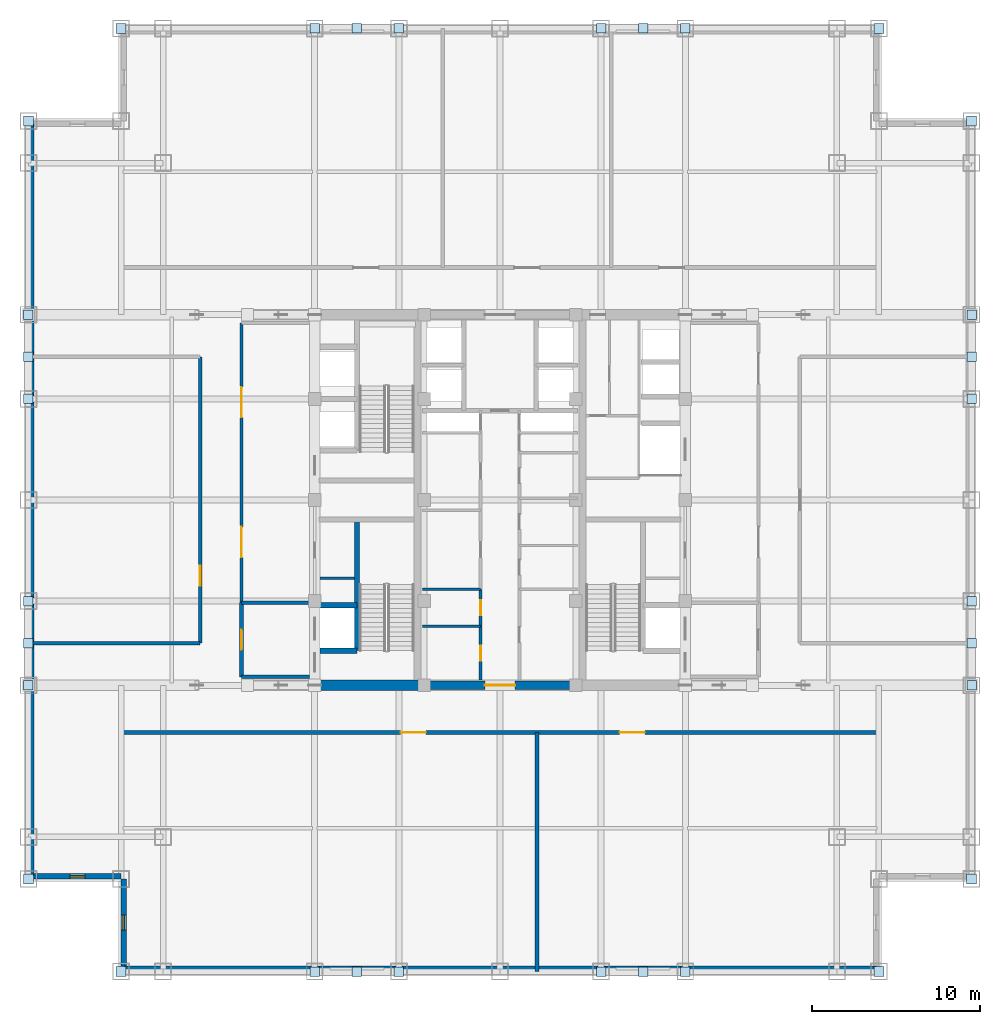
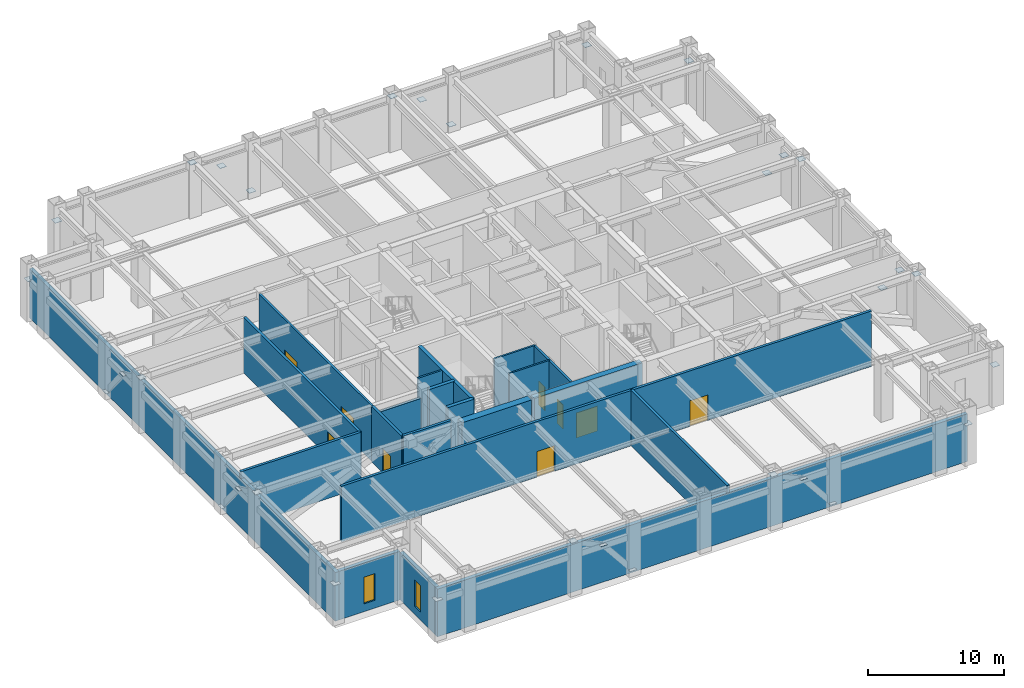
# One storey, part 6 of 11: 32 plates, 21 walls, 9 doors, 2 windows, 11 openings.
"""IFC4 building model written with IfcOpenShell, lengths in metres."""

from ifc_helpers import new_model, si_unit, direction, frame, frame_2d, origin, origin_2d, place, context, subcontext, project, spatial, rectangle, extrude, source, transform, mapped, material, layer, layer_set, type_object, element, fill, save


model = new_model("IFC4")

# Units and contexts
model_context = context("Model", 3, precision=1e-05, world=origin(), true_north=direction((0.0, 1.0)))
body_context = subcontext(model_context, "Body", "Model", "MODEL_VIEW")
ifc_project = project(units=[si_unit("LENGTHUNIT", "METRE"), si_unit("AREAUNIT", "SQUARE_METRE"), si_unit("VOLUMEUNIT", "CUBIC_METRE"), si_unit("PLANEANGLEUNIT", "RADIAN"), si_unit("MASSUNIT", "GRAM", prefix="KILO")], contexts=[model_context])

# Site, building, storey
site_placement = place(None, origin())
site = spatial("IfcSite", under=ifc_project, at=site_placement, CompositionType="ELEMENT")
building_placement = place(site_placement, origin())
building = spatial("IfcBuilding", under=site, at=building_placement, Name="Khorayat Bourse Tower", CompositionType="ELEMENT")
storey_placement = place(building_placement, frame((0.0, 0.0, 268.300048828125)))
storey = spatial("IfcBuildingStorey", under=building, at=storey_placement, Name="L63", CompositionType="ELEMENT", Elevation=268.300048828125)

# Plates
ifc_material_1 = material(Name="Steel EN 10025-2 S355J2", Category="steel")
ifc_layer_1 = layer(ifc_material_1, 0.02490234375)
ifc_layer_set_1 = layer_set([ifc_layer_1], Name="Steel EN 10025-2 S355J2")
plate_type = type_object("IfcPlateType", Name="PLT-ENDCAP-25", PredefinedType="SHEET", material=ifc_layer_set_1)
shared_shape_1 = source(origin(), body_context, "Body", "SweptSolid", [
    extrude(rectangle(XDim=0.56005859375, YDim=0.56005859375, at=origin_2d()), origin(), (0.0, 0.0, 1.0), 0.02490234375),
])
for number, where, z_axis, x_axis, name in (
    (1, (-11.0, -28.0, 4.617431640625), (0.0, 0.0, 1.0), (1.0, 0.0, 0.0), "L63 Perimeter Brace End Plate 001"),
    (2, (-8.5, -28.0, 3.4375), (0.0, 0.0, 1.0), (1.0, 0.0, 0.0), "L63 Perimeter Brace End Plate 002"),
    (3, (-6.0, -28.0, 0.33740234375), (0.0, 0.0, 1.0), (1.0, 0.0, 0.0), "L63 Perimeter Brace End Plate 003"),
    (4, (6.0, -28.0, 4.617431640625), (0.0, 0.0, 1.0), (1.0, 0.0, 0.0), "L63 Perimeter Brace End Plate 004"),
    (5, (8.5, -28.0, 3.4375), (0.0, 0.0, 1.0), (1.0, 0.0, 0.0), "L63 Perimeter Brace End Plate 005"),
    (6, (11.0, -28.0, 0.33740234375), (0.0, 0.0, 1.0), (1.0, 0.0, 0.0), "L63 Perimeter Brace End Plate 006"),
    (7, (-11.0, 28.0, 4.617431640625), (0.0, 0.0, 1.0), (1.0, 0.0, 0.0), "L63 Perimeter Brace End Plate 007"),
    (8, (-8.5, 28.0, 3.4375), (0.0, 0.0, 1.0), (1.0, 0.0, 0.0), "L63 Perimeter Brace End Plate 008"),
    (9, (-6.0, 28.0, 0.33740234375), (0.0, 0.0, 1.0), (1.0, 0.0, 0.0), "L63 Perimeter Brace End Plate 009"),
    (10, (6.0, 28.0, 4.617431640625), (0.0, 0.0, 1.0), (1.0, 0.0, 0.0), "L63 Perimeter Brace End Plate 010"),
    (11, (8.5, 28.0, 3.4375), (0.0, 0.0, 1.0), (1.0, 0.0, 0.0), "L63 Perimeter Brace End Plate 011"),
    (12, (11.0, 28.0, 0.33740234375), (0.0, 0.0, 1.0), (1.0, 0.0, 0.0), "L63 Perimeter Brace End Plate 012"),
    (13, (-28.0, -11.0, 4.617431640625), (0.0, 0.0, 1.0), (1.0, 0.0, 0.0), "L63 Perimeter Brace End Plate 013"),
    (14, (-28.0, -8.5, 3.4375), (0.0, 0.0, 1.0), (1.0, 0.0, 0.0), "L63 Perimeter Brace End Plate 014"),
    (15, (-28.0, -6.0, 0.33740234375), (0.0, 0.0, 1.0), (1.0, 0.0, 0.0), "L63 Perimeter Brace End Plate 015"),
    (16, (-28.0, 6.0, 4.617431640625), (0.0, 0.0, 1.0), (1.0, 0.0, 0.0), "L63 Perimeter Brace End Plate 016"),
    (17, (-28.0, 8.5, 3.4375), (0.0, 0.0, 1.0), (1.0, 0.0, 0.0), "L63 Perimeter Brace End Plate 017"),
    (18, (-28.0, 11.0, 0.33740234375), (0.0, 0.0, 1.0), (1.0, 0.0, 0.0), "L63 Perimeter Brace End Plate 018"),
    (19, (28.0, -11.0, 4.617431640625), (0.0, 0.0, 1.0), (1.0, 0.0, 0.0), "L63 Perimeter Brace End Plate 019"),
    (20, (28.0, -8.5, 3.4375), (0.0, 0.0, 1.0), (1.0, 0.0, 0.0), "L63 Perimeter Brace End Plate 020"),
    (21, (28.0, -6.0, 0.33740234375), (0.0, 0.0, 1.0), (1.0, 0.0, 0.0), "L63 Perimeter Brace End Plate 021"),
    (22, (28.0, 6.0, 4.617431640625), (0.0, 0.0, 1.0), (1.0, 0.0, 0.0), "L63 Perimeter Brace End Plate 022"),
    (23, (28.0, 8.5, 3.4375), (0.0, 0.0, 1.0), (1.0, 0.0, 0.0), "L63 Perimeter Brace End Plate 023"),
    (24, (28.0, 11.0, 0.33740234375), (0.0, 0.0, 1.0), (1.0, 0.0, 0.0), "L63 Perimeter Brace End Plate 024"),
):
    element("IfcPlate", number, at=place(storey_placement, frame(where, z_axis=z_axis, x_axis=x_axis)), inside=storey, type_object=plate_type, Name=name, PredefinedType="SHEET", context=body_context, shape_type="MappedRepresentation", body=[
        mapped(shared_shape_1, transform((0.0, 0.0, 0.0), scale=1.0)),
    ])
shared_shape_2 = source(origin(), body_context, "Body", "SweptSolid", [
    extrude(rectangle(XDim=0.580078125, YDim=0.580078125, at=origin_2d()), origin(), (0.0, 0.0, 1.0), 0.02490234375),
])
for number, where, z_axis, x_axis, name in (
    (25, (-22.5, -28.0, 3.4375), (0.0, 0.0, 1.0), (1.0, 0.0, 0.0), "L63 Belt Truss Endcap Plate 025"),
    (26, (22.5, -28.0, 3.4375), (0.0, 0.0, 1.0), (1.0, 0.0, 0.0), "L63 Belt Truss Endcap Plate 026"),
    (27, (-22.5, 28.0, 3.4375), (0.0, 0.0, 1.0), (1.0, 0.0, 0.0), "L63 Belt Truss Endcap Plate 027"),
    (28, (22.5, 28.0, 3.4375), (0.0, 0.0, 1.0), (1.0, 0.0, 0.0), "L63 Belt Truss Endcap Plate 028"),
    (29, (-28.0, -22.5, 3.4375), (0.0, 0.0, 1.0), (1.0, 0.0, 0.0), "L63 Belt Truss Endcap Plate 029"),
    (30, (-28.0, 22.5, 3.4375), (0.0, 0.0, 1.0), (1.0, 0.0, 0.0), "L63 Belt Truss Endcap Plate 030"),
    (31, (28.0, -22.5, 3.4375), (0.0, 0.0, 1.0), (1.0, 0.0, 0.0), "L63 Belt Truss Endcap Plate 031"),
    (32, (28.0, 22.5, 3.4375), (0.0, 0.0, 1.0), (1.0, 0.0, 0.0), "L63 Belt Truss Endcap Plate 032"),
):
    element("IfcPlate", number, at=place(storey_placement, frame(where, z_axis=z_axis, x_axis=x_axis)), inside=storey, type_object=plate_type, Name=name, PredefinedType="SHEET", context=body_context, shape_type="MappedRepresentation", body=[
        mapped(shared_shape_2, transform((0.0, 0.0, 0.0), scale=1.0)),
    ])

# Wall, opening, door
ifc_material_2 = material(Name="Concrete C52/65", Category="concrete")
ifc_layer_2 = layer(ifc_material_2, 0.5)
ifc_layer_set_2 = layer_set([ifc_layer_2], Name="Concrete C52/65")
wall_type_1 = type_object("IfcWallType", Name="WAL-CORE-500", PredefinedType="SHEAR", material=ifc_layer_set_2)
shared_shape_3 = source(origin(), body_context, "Body", "SweptSolid", [
    extrude(rectangle(XDim=9.2001953125, YDim=0.5, at=frame_2d((4.60009765625, 0.0))), origin(), (0.0, 0.0, 1.0), 4.97998046875),
])
wall_1_placement = place(storey_placement, frame((-4.60009765625, -11.0, 0.0), z_axis=(0.0, 0.0, 1.0), x_axis=(1.0, 0.0, 0.0)))
wall_1 = element("IfcWall", 33, at=wall_1_placement, inside=storey, type_object=wall_type_1, Name="L63 Core Shear Wall CORE-S", PredefinedType="SHEAR", context=body_context, shape_type="MappedRepresentation", body=[
    mapped(shared_shape_3, transform((0.0, 0.0, 0.0), scale=1.0)),
])
shared_shape_4 = source(origin(), body_context, "Body", "SweptSolid", [
    extrude(rectangle(XDim=1.800048828125, YDim=2.25, at=frame_2d((0.89990234375, 1.125))), frame((0.0, 0.260009765625, 0.0), z_axis=(0.0, -1.0, 0.0), x_axis=(1.0, 0.0, 0.0)), (0.0, 0.0, 1.0), 0.52001953125),
])
opening_1_placement = place(wall_1_placement, frame((3.699951171875, 0.0, 0.0)))
opening_1 = element("IfcOpeningElement", 34, at=opening_1_placement, cuts=wall_1, Name="Opening DI-03", PredefinedType="OPENING", context=body_context, shape_type="MappedRepresentation", body=[
    mapped(shared_shape_4, transform((0.0, 0.0, 0.0), scale=1.0)),
])
ifc_material_3 = material(Name="Fire-rated hardwood vision-panel double leaf", Category="wood")
door_type_1 = type_object("IfcDoorType", Name="DR-INT-CORR-1800", OperationType="NOTDEFINED", PredefinedType="DOOR", material=ifc_material_3)
shared_shape_5 = source(origin(), body_context, "Body", "SweptSolid", [
    extrude(rectangle(XDim=1.800048828125, YDim=2.25, at=frame_2d((0.89990234375, 1.125))), frame((0.0, 0.02490234375, 0.0), z_axis=(0.0, -1.0, 0.0), x_axis=(1.0, 0.0, 0.0)), (0.0, 0.0, 1.0), 0.050048828125),
])
door_1_placement = place(opening_1_placement, origin())
door_1 = element("IfcDoor", 35, at=door_1_placement, inside=storey, type_object=door_type_1, Name="L63 Central Core South Passage Door", OperationType="SINGLE_SWING_LEFT", OverallHeight=2.25, OverallWidth=1.800048828125, PredefinedType="DOOR", context=body_context, shape_type="MappedRepresentation", body=[
    mapped(shared_shape_5, transform((0.0, 0.0, 0.0), scale=1.0)),
])
fill(opening_1, door_1)

# Wall
ifc_material_4 = material(Name="Concrete C60/75", Category="concrete")
ifc_layer_3 = layer(ifc_material_4, 0.60009765625)
ifc_layer_set_3 = layer_set([ifc_layer_3], Name="Concrete C60/75")
wall_type_2 = type_object("IfcWallType", Name="WAL-CORE-600", PredefinedType="SHEAR", material=ifc_layer_set_3)
shared_shape_6 = source(origin(), body_context, "Body", "SweptSolid", [
    extrude(rectangle(XDim=5.89990234375, YDim=0.60009765625, at=frame_2d((2.949951171875, 0.0))), origin(), (0.0, 0.0, 1.0), 4.97998046875),
])
wall_2_placement = place(storey_placement, frame((-10.75, -11.0, 0.0), z_axis=(0.0, 0.0, 1.0), x_axis=(1.0, 0.0, 0.0)))
element("IfcWall", 36, at=wall_2_placement, inside=storey, type_object=wall_type_2, Name="L63 Core Shear Wall PIER-WS", PredefinedType="SHEAR", context=body_context, shape_type="MappedRepresentation", body=[
    mapped(shared_shape_6, transform((0.0, 0.0, 0.0), scale=1.0)),
])

# Wall, opening, window
ifc_material_5 = material(Name="Precast concrete C45/55", Category="concrete")
ifc_layer_4 = layer(ifc_material_5, 0.320068359375)
ifc_layer_set_4 = layer_set([ifc_layer_4], Name="Precast concrete C45/55")
wall_type_3 = type_object("IfcWallType", Name="WAL-EXT-STONE-320", PredefinedType="STANDARD", material=ifc_layer_set_4)
shared_shape_7 = source(origin(), body_context, "Body", "SweptSolid", [
    extrude(rectangle(XDim=5.179931640625, YDim=0.320068359375, at=frame_2d((2.58984375, 0.0))), origin(), (0.0, 0.0, 1.0), 4.364013671875),
])
wall_3_placement = place(storey_placement, frame((-22.5, -22.340087890625, 0.0), z_axis=(0.0, 0.0, 1.0), x_axis=(-1.0, 0.0, 0.0)))
wall_3 = element("IfcWall", 37, at=wall_3_placement, inside=storey, type_object=wall_type_3, Name="L63 Re-Entrant Notch Limestone Wall SW-H", PredefinedType="STANDARD", context=body_context, shape_type="MappedRepresentation", body=[
    mapped(shared_shape_7, transform((0.0, 0.0, 0.0), scale=1.0)),
])
shared_shape_8 = source(origin(), body_context, "Body", "SweptSolid", [
    extrude(rectangle(XDim=0.89990234375, YDim=2.39990234375, at=frame_2d((0.449951171875, 1.199951171875))), frame((0.0, 0.169921875, 0.0), z_axis=(0.0, -1.0, 0.0), x_axis=(1.0, 0.0, 0.0)), (0.0, 0.0, 1.0), 0.340087890625),
])
opening_2_placement = place(wall_3_placement, frame((2.139892578125, 0.0, 0.699951171875)))
opening_2 = element("IfcOpeningElement", 38, at=opening_2_placement, cuts=wall_3, Name="Opening WN-03", PredefinedType="OPENING", context=body_context, shape_type="MappedRepresentation", body=[
    mapped(shared_shape_8, transform((0.0, 0.0, 0.0), scale=1.0)),
])
ifc_material_6 = material(Name="Deep-reveal solar-control double glazing", Category="glass")
window_type = type_object("IfcWindowType", Name="WIN-SLOT-900x2400", PartitioningType="SINGLE_PANEL", PredefinedType="WINDOW", material=ifc_material_6)
shared_shape_9 = source(origin(), body_context, "Body", "SweptSolid", [
    extrude(rectangle(XDim=0.89990234375, YDim=2.39990234375, at=frame_2d((0.449951171875, 1.199951171875))), frame((0.0, 0.030029296875, 0.0), z_axis=(0.0, -1.0, 0.0), x_axis=(1.0, 0.0, 0.0)), (0.0, 0.0, 1.0), 0.06005859375),
])
window_1_placement = place(opening_2_placement, origin())
window_1 = element("IfcWindow", 39, at=window_1_placement, inside=storey, type_object=window_type, Name="L63 Facade Window 1", OverallHeight=2.39990234375, OverallWidth=0.89990234375, PartitioningType="SINGLE_PANEL", PredefinedType="WINDOW", context=body_context, shape_type="MappedRepresentation", body=[
    mapped(shared_shape_9, transform((0.0, 0.0, 0.0), scale=1.0)),
])
fill(opening_2, window_1)

shared_shape_10 = source(origin(), body_context, "Body", "SweptSolid", [
    extrude(rectangle(XDim=5.179931640625, YDim=0.320068359375, at=frame_2d((2.58984375, 0.0))), origin(), (0.0, 0.0, 1.0), 4.283935546875),
])
wall_4_placement = place(storey_placement, frame((-22.340087890625, -27.679931640625, 0.0), z_axis=(0.0, 0.0, 1.0), x_axis=(0.0, 1.0, 0.0)))
wall_4 = element("IfcWall", 40, at=wall_4_placement, inside=storey, type_object=wall_type_3, Name="L63 Re-Entrant Notch Limestone Wall SW-V", PredefinedType="STANDARD", context=body_context, shape_type="MappedRepresentation", body=[
    mapped(shared_shape_10, transform((0.0, 0.0, 0.0), scale=1.0)),
])
opening_3_placement = place(wall_4_placement, frame((2.139892578125, 0.0, 0.699951171875)))
opening_3 = element("IfcOpeningElement", 41, at=opening_3_placement, cuts=wall_4, Name="Opening WN-03", PredefinedType="OPENING", context=body_context, shape_type="MappedRepresentation", body=[
    mapped(shared_shape_8, transform((0.0, 0.0, 0.0), scale=1.0)),
])
window_2_placement = place(opening_3_placement, origin())
window_2 = element("IfcWindow", 42, at=window_2_placement, inside=storey, type_object=window_type, Name="L63 Facade Window 1", OverallHeight=2.39990234375, OverallWidth=0.89990234375, PartitioningType="SINGLE_PANEL", PredefinedType="WINDOW", context=body_context, shape_type="MappedRepresentation", body=[
    mapped(shared_shape_9, transform((0.0, 0.0, 0.0), scale=1.0)),
])
fill(opening_3, window_2)

# Walls
shared_shape_11 = source(origin(), body_context, "Body", "SweptSolid", [
    extrude(rectangle(XDim=45.0, YDim=0.320068359375, at=frame_2d((22.5, 0.0))), origin(), (0.0, 0.0, 1.0), 4.283935546875),
])
wall_5_placement = place(storey_placement, frame((-22.5, -27.840087890625, 0.0), z_axis=(0.0, 0.0, 1.0), x_axis=(1.0, 0.0, 0.0)))
element("IfcWall", 43, at=wall_5_placement, inside=storey, type_object=wall_type_3, Name="L63 Plant Perimeter Wall S", PredefinedType="STANDARD", context=body_context, shape_type="MappedRepresentation", body=[
    mapped(shared_shape_11, transform((0.0, 0.0, 0.0), scale=1.0)),
])
shared_shape_12 = source(origin(), body_context, "Body", "SweptSolid", [
    extrude(rectangle(XDim=45.0, YDim=0.320068359375, at=frame_2d((22.5, 0.0))), origin(), (0.0, 0.0, 1.0), 4.364013671875),
])
wall_6_placement = place(storey_placement, frame((-27.840087890625, -22.5, 0.0), z_axis=(0.0, 0.0, 1.0), x_axis=(0.0, 1.0, 0.0)))
element("IfcWall", 44, at=wall_6_placement, inside=storey, type_object=wall_type_3, Name="L63 Plant Perimeter Wall W", PredefinedType="STANDARD", context=body_context, shape_type="MappedRepresentation", body=[
    mapped(shared_shape_12, transform((0.0, 0.0, 0.0), scale=1.0)),
])
ifc_material_7 = material(Name="Concrete C50/60", Category="concrete")
ifc_layer_5 = layer(ifc_material_7, 0.300048828125)
ifc_layer_set_5 = layer_set([ifc_layer_5], Name="Concrete C50/60")
wall_type_4 = type_object("IfcWallType", Name="WAL-SHAFT-300", PredefinedType="SHEAR", material=ifc_layer_set_5)
shared_shape_13 = source(origin(), body_context, "Body", "SweptSolid", [
    extrude(rectangle(XDim=7.800048828125, YDim=0.300048828125, at=frame_2d((3.89990234375, 0.0))), origin(), (0.0, 0.0, 1.0), 4.97998046875),
])
wall_7_placement = place(storey_placement, frame((-8.5, -8.949951171875, 0.0), z_axis=(0.0, 0.0, 1.0), x_axis=(0.0, 1.0, 0.0)))
element("IfcWall", 45, at=wall_7_placement, inside=storey, type_object=wall_type_4, Name="L63 Partition WAL-L63-WPIER-SP", PredefinedType="SHEAR", context=body_context, shape_type="MappedRepresentation", body=[
    mapped(shared_shape_13, transform((0.0, 0.0, 0.0), scale=1.0)),
])
shared_shape_14 = source(origin(), body_context, "Body", "SweptSolid", [
    extrude(rectangle(XDim=2.199951171875, YDim=0.300048828125, at=frame_2d((1.10009765625, 0.0))), origin(), (0.0, 0.0, 1.0), 4.97998046875),
])
for number, where, z_axis, x_axis, name in (
    (46, (-10.699951171875, -8.949951171875, 0.0), (0.0, 0.0, 1.0), (1.0, 0.0, 0.0), "L63 Partition WAL-L63-WPIER-FF1S"),
    (47, (-10.699951171875, -6.25, 0.0), (0.0, 0.0, 1.0), (1.0, 0.0, 0.0), "L63 Partition WAL-L63-WPIER-FF1N"),
):
    element("IfcWall", number, at=place(storey_placement, frame(where, z_axis=z_axis, x_axis=x_axis)), inside=storey, type_object=wall_type_4, Name=name, PredefinedType="SHEAR", context=body_context, shape_type="MappedRepresentation", body=[
        mapped(shared_shape_14, transform((0.0, 0.0, 0.0), scale=1.0)),
    ])
ifc_material_8 = material(Name="Gypsum plasterboard twin-frame partition")
ifc_layer_6 = layer(ifc_material_8, 0.14990234375)
ifc_layer_set_6 = layer_set([ifc_layer_6], Name="Gypsum plasterboard twin-frame partition")
wall_type_5 = type_object("IfcWallType", Name="WAL-PART-SUITE-150", PredefinedType="PARTITIONING", material=ifc_layer_set_6)
shared_shape_15 = source(origin(), body_context, "Body", "SweptSolid", [
    extrude(rectangle(XDim=2.050048828125, YDim=0.14990234375, at=frame_2d((1.02490234375, 0.0))), origin(), (0.0, 0.0, 1.0), 4.97998046875),
])
wall_8_placement = place(storey_placement, frame((-10.699951171875, -4.64990234375, 0.0), z_axis=(0.0, 0.0, 1.0), x_axis=(1.0, 0.0, 0.0)))
element("IfcWall", 48, at=wall_8_placement, inside=storey, type_object=wall_type_5, Name="L63 Partition WAL-L63-WSRV-S0", PredefinedType="PARTITIONING", context=body_context, shape_type="MappedRepresentation", body=[
    mapped(shared_shape_15, transform((0.0, 0.0, 0.0), scale=1.0)),
])
ifc_material_9 = material(Name="Aerated concrete blockwork", Category="masonry")
ifc_layer_7 = layer(ifc_material_9, 0.219970703125)
ifc_layer_set_7 = layer_set([ifc_layer_7], Name="Aerated concrete blockwork")
wall_type_6 = type_object("IfcWallType", Name="WAL-PART-FF-220", PredefinedType="PARTITIONING", material=ifc_layer_set_7)
shared_shape_16 = source(origin(), body_context, "Body", "SweptSolid", [
    extrude(rectangle(XDim=4.050048828125, YDim=0.219970703125, at=frame_2d((2.02490234375, 0.0))), origin(), (0.0, 0.0, 1.0), 4.97998046875),
])
wall_9_placement = place(storey_placement, frame((-15.35009765625, -10.5, 0.0), z_axis=(0.0, 0.0, 1.0), x_axis=(1.0, 0.0, 0.0)))
element("IfcWall", 49, at=wall_9_placement, inside=storey, type_object=wall_type_6, Name="L63 Partition WAL-L63-FFLW-S", PredefinedType="PARTITIONING", context=body_context, shape_type="MappedRepresentation", body=[
    mapped(shared_shape_16, transform((0.0, 0.0, 0.0), scale=1.0)),
])

# Wall, opening, door
shared_shape_17 = source(origin(), body_context, "Body", "SweptSolid", [
    extrude(rectangle(XDim=4.39990234375, YDim=0.219970703125, at=frame_2d((2.199951171875, 0.0))), origin(), (0.0, 0.0, 1.0), 4.97998046875),
])
wall_10_placement = place(storey_placement, frame((-15.35009765625, -10.5, 0.0), z_axis=(0.0, 0.0, 1.0), x_axis=(0.0, 1.0, 0.0)))
wall_10 = element("IfcWall", 50, at=wall_10_placement, inside=storey, type_object=wall_type_6, Name="L63 Partition WAL-L63-FFLW-W", PredefinedType="PARTITIONING", context=body_context, shape_type="MappedRepresentation", body=[
    mapped(shared_shape_17, transform((0.0, 0.0, 0.0), scale=1.0)),
])
shared_shape_18 = source(origin(), body_context, "Body", "SweptSolid", [
    extrude(rectangle(XDim=1.199951171875, YDim=2.199951171875, at=frame_2d((0.60009765625, 1.10009765625))), frame((0.0, 0.119873046875, 0.0), z_axis=(0.0, -1.0, 0.0), x_axis=(1.0, 0.0, 0.0)), (0.0, 0.0, 1.0), 0.239990234375),
])
opening_4_placement = place(wall_10_placement, frame((1.60009765625, 0.0, 0.0)))
opening_4 = element("IfcOpeningElement", 51, at=opening_4_placement, cuts=wall_10, Name="Opening DI-02", PredefinedType="OPENING", context=body_context, shape_type="MappedRepresentation", body=[
    mapped(shared_shape_18, transform((0.0, 0.0, 0.0), scale=1.0)),
])
ifc_material_10 = material(Name="Fire-rated steel double-seal leaf", Category="steel")
door_type_2 = type_object("IfcDoorType", Name="DR-INT-FFLOBBY-1200", OperationType="NOTDEFINED", PredefinedType="DOOR", material=ifc_material_10)
shared_shape_19 = source(origin(), body_context, "Body", "SweptSolid", [
    extrude(rectangle(XDim=1.199951171875, YDim=2.199951171875, at=frame_2d((0.60009765625, 1.10009765625))), frame((0.0, 0.02490234375, 0.0), z_axis=(0.0, -1.0, 0.0), x_axis=(1.0, 0.0, 0.0)), (0.0, 0.0, 1.0), 0.050048828125),
])
door_2_placement = place(opening_4_placement, origin())
door_2 = element("IfcDoor", 52, at=door_2_placement, inside=storey, type_object=door_type_2, Name="L63 West Firefighting Lobby Door", OperationType="SINGLE_SWING_LEFT", OverallHeight=2.199951171875, OverallWidth=1.199951171875, PredefinedType="DOOR", context=body_context, shape_type="MappedRepresentation", body=[
    mapped(shared_shape_19, transform((0.0, 0.0, 0.0), scale=1.0)),
])
fill(opening_4, door_2)

# Wall, openings, doors
ifc_material_11 = material(Name="Gypsum plasterboard acoustic stud wall")
ifc_layer_8 = layer(ifc_material_11, 0.179931640625)
ifc_layer_set_8 = layer_set([ifc_layer_8], Name="Gypsum plasterboard acoustic stud wall")
wall_type_7 = type_object("IfcWallType", Name="WAL-PART-CORR-180", PredefinedType="PARTITIONING", material=ifc_layer_set_8)
shared_shape_20 = source(origin(), body_context, "Body", "SweptSolid", [
    extrude(rectangle(XDim=16.60009765625, YDim=0.179931640625, at=frame_2d((8.300048828125, 0.0))), origin(), (0.0, 0.0, 1.0), 4.97998046875),
])
wall_11_placement = place(storey_placement, frame((-15.35009765625, -6.10009765625, 0.0), z_axis=(0.0, 0.0, 1.0), x_axis=(0.0, 1.0, 0.0)))
wall_11 = element("IfcWall", 53, at=wall_11_placement, inside=storey, type_object=wall_type_7, Name="L63 Partition WAL-L63-WLOB-W", PredefinedType="PARTITIONING", context=body_context, shape_type="MappedRepresentation", body=[
    mapped(shared_shape_20, transform((0.0, 0.0, 0.0), scale=1.0)),
])
shared_shape_21 = source(origin(), body_context, "Body", "SweptSolid", [
    extrude(rectangle(XDim=1.800048828125, YDim=2.25, at=frame_2d((0.89990234375, 1.125))), frame((0.0, 0.099853515625, 0.0), z_axis=(0.0, -1.0, 0.0), x_axis=(1.0, 0.0, 0.0)), (0.0, 0.0, 1.0), 0.199951171875),
])
opening_5_placement = place(wall_11_placement, frame((2.699951171875, 0.0, 0.0)))
opening_5 = element("IfcOpeningElement", 54, at=opening_5_placement, cuts=wall_11, Name="Opening DI-03", PredefinedType="OPENING", context=body_context, shape_type="MappedRepresentation", body=[
    mapped(shared_shape_21, transform((0.0, 0.0, 0.0), scale=1.0)),
])
opening_6_placement = place(wall_11_placement, frame((11.0, 0.0, 0.0)))
opening_6 = element("IfcOpeningElement", 55, at=opening_6_placement, cuts=wall_11, Name="Opening DI-03", PredefinedType="OPENING", context=body_context, shape_type="MappedRepresentation", body=[
    mapped(shared_shape_21, transform((0.0, 0.0, 0.0), scale=1.0)),
])
door_3_placement = place(opening_5_placement, origin())
door_3 = element("IfcDoor", 56, at=door_3_placement, inside=storey, type_object=door_type_1, Name="L63 West Core Lobby South Door", OperationType="SINGLE_SWING_LEFT", OverallHeight=2.25, OverallWidth=1.800048828125, PredefinedType="DOOR", context=body_context, shape_type="MappedRepresentation", body=[
    mapped(shared_shape_5, transform((0.0, 0.0, 0.0), scale=1.0)),
])
fill(opening_5, door_3)
door_4_placement = place(opening_6_placement, origin())
door_4 = element("IfcDoor", 57, at=door_4_placement, inside=storey, type_object=door_type_1, Name="L63 West Core Lobby North Door", OperationType="SINGLE_SWING_RIGHT", OverallHeight=2.25, OverallWidth=1.800048828125, PredefinedType="DOOR", context=body_context, shape_type="MappedRepresentation", body=[
    mapped(shared_shape_5, transform((0.0, 0.0, 0.0), scale=1.0)),
])
fill(opening_6, door_4)

# Walls
shared_shape_22 = source(origin(), body_context, "Body", "SweptSolid", [
    extrude(rectangle(XDim=3.4501953125, YDim=0.14990234375, at=frame_2d((1.72509765625, 0.0))), origin(), (0.0, 0.0, 1.0), 4.97998046875),
])
wall_12_placement = place(storey_placement, frame((-4.60009765625, -5.300048828125, 0.0), z_axis=(0.0, 0.0, 1.0), x_axis=(1.0, 0.0, 0.0)))
element("IfcWall", 58, at=wall_12_placement, inside=storey, type_object=wall_type_5, Name="L63 Partition WAL-L63-FB1-NW", PredefinedType="PARTITIONING", context=body_context, shape_type="MappedRepresentation", body=[
    mapped(shared_shape_22, transform((0.0, 0.0, 0.0), scale=1.0)),
])
ifc_material_12 = material(Name="Moisture-resistant masonry partition", Category="masonry")
ifc_layer_9 = layer(ifc_material_12, 0.139892578125)
ifc_layer_set_9 = layer_set([ifc_layer_9], Name="Moisture-resistant masonry partition")
wall_type_8 = type_object("IfcWallType", Name="WAL-PART-WET-140", PredefinedType="PARTITIONING", material=ifc_layer_set_9)
shared_shape_23 = source(origin(), body_context, "Body", "SweptSolid", [
    extrude(rectangle(XDim=3.4501953125, YDim=0.139892578125, at=frame_2d((1.72509765625, 0.0))), origin(), (0.0, 0.0, 1.0), 4.97998046875),
])
wall_13_placement = place(storey_placement, frame((-4.60009765625, -7.5, 0.0), z_axis=(0.0, 0.0, 1.0), x_axis=(1.0, 0.0, 0.0)))
element("IfcWall", 59, at=wall_13_placement, inside=storey, type_object=wall_type_8, Name="L63 Partition WAL-L63-FB1W-D1", PredefinedType="PARTITIONING", context=body_context, shape_type="MappedRepresentation", body=[
    mapped(shared_shape_23, transform((0.0, 0.0, 0.0), scale=1.0)),
])

# Wall, opening, door
shared_shape_24 = source(origin(), body_context, "Body", "SweptSolid", [
    extrude(rectangle(XDim=17.0, YDim=0.219970703125, at=frame_2d((8.5, 0.0))), origin(), (0.0, 0.0, 1.0), 4.97998046875),
])
wall_14_placement = place(storey_placement, frame((-17.800048828125, -8.5, 0.0), z_axis=(0.0, 0.0, 1.0), x_axis=(0.0, 1.0, 0.0)))
wall_14 = element("IfcWall", 60, at=wall_14_placement, inside=storey, type_object=wall_type_6, Name="L63 Partition WAL-L63-PLW-E", PredefinedType="PARTITIONING", context=body_context, shape_type="MappedRepresentation", body=[
    mapped(shared_shape_24, transform((0.0, 0.0, 0.0), scale=1.0)),
])
opening_7_placement = place(wall_14_placement, frame((3.39990234375, 0.0, 0.0)))
opening_7 = element("IfcOpeningElement", 61, at=opening_7_placement, cuts=wall_14, Name="Opening DI-02", PredefinedType="OPENING", context=body_context, shape_type="MappedRepresentation", body=[
    mapped(shared_shape_18, transform((0.0, 0.0, 0.0), scale=1.0)),
])
door_5_placement = place(opening_7_placement, origin())
door_5 = element("IfcDoor", 62, at=door_5_placement, inside=storey, type_object=door_type_2, Name="L63 Protected Area of Refuge West South Door", OperationType="SINGLE_SWING_LEFT", OverallHeight=2.199951171875, OverallWidth=1.199951171875, PredefinedType="DOOR", context=body_context, shape_type="MappedRepresentation", body=[
    mapped(shared_shape_19, transform((0.0, 0.0, 0.0), scale=1.0)),
])
fill(opening_7, door_5)

# Wall
shared_shape_25 = source(origin(), body_context, "Body", "SweptSolid", [
    extrude(rectangle(XDim=4.050048828125, YDim=0.219970703125, at=frame_2d((2.02490234375, 0.0))), origin(), (0.0, 0.0, 1.0), 4.284912109375),
])
wall_15_placement = place(storey_placement, frame((-15.35009765625, -6.10009765625, 0.0), z_axis=(0.0, 0.0, 1.0), x_axis=(1.0, 0.0, 0.0)))
element("IfcWall", 63, at=wall_15_placement, inside=storey, type_object=wall_type_6, Name="L63 Partition WAL-L63-FFLW-N", PredefinedType="PARTITIONING", context=body_context, shape_type="MappedRepresentation", body=[
    mapped(shared_shape_25, transform((0.0, 0.0, 0.0), scale=1.0)),
])

# Wall, openings, doors
shared_shape_26 = source(origin(), body_context, "Body", "SweptSolid", [
    extrude(rectangle(XDim=5.39990234375, YDim=0.179931640625, at=frame_2d((2.699951171875, 0.0))), origin(), (0.0, 0.0, 1.0), 4.97998046875),
])
wall_16_placement = place(storey_placement, frame((-1.14990234375, -10.699951171875, 0.0), z_axis=(0.0, 0.0, 1.0), x_axis=(0.0, 1.0, 0.0)))
wall_16 = element("IfcWall", 64, at=wall_16_placement, inside=storey, type_object=wall_type_7, Name="L63 Partition WAL-L63-FB1W-L", PredefinedType="PARTITIONING", context=body_context, shape_type="MappedRepresentation", body=[
    mapped(shared_shape_26, transform((0.0, 0.0, 0.0), scale=1.0)),
])
shared_shape_27 = source(origin(), body_context, "Body", "SweptSolid", [
    extrude(rectangle(XDim=0.89990234375, YDim=2.14990234375, at=frame_2d((0.449951171875, 1.074951171875))), frame((0.0, 0.099853515625, 0.0), z_axis=(0.0, -1.0, 0.0), x_axis=(1.0, 0.0, 0.0)), (0.0, 0.0, 1.0), 0.199951171875),
])
opening_8_placement = place(wall_16_placement, frame((1.14990234375, 0.0, 0.0)))
opening_8 = element("IfcOpeningElement", 65, at=opening_8_placement, cuts=wall_16, Name="Opening DI-06", PredefinedType="OPENING", context=body_context, shape_type="MappedRepresentation", body=[
    mapped(shared_shape_27, transform((0.0, 0.0, 0.0), scale=1.0)),
])
opening_9_placement = place(wall_16_placement, frame((3.85009765625, 0.0, 0.0)))
opening_9 = element("IfcOpeningElement", 66, at=opening_9_placement, cuts=wall_16, Name="Opening DI-06", PredefinedType="OPENING", context=body_context, shape_type="MappedRepresentation", body=[
    mapped(shared_shape_27, transform((0.0, 0.0, 0.0), scale=1.0)),
])
ifc_material_13 = material(Name="Moisture-resistant laminate washroom door")
door_type_3 = type_object("IfcDoorType", Name="DR-INT-WC-900", OperationType="NOTDEFINED", PredefinedType="DOOR", material=ifc_material_13)
shared_shape_28 = source(origin(), body_context, "Body", "SweptSolid", [
    extrude(rectangle(XDim=0.89990234375, YDim=2.14990234375, at=frame_2d((0.449951171875, 1.074951171875))), frame((0.0, 0.02490234375, 0.0), z_axis=(0.0, -1.0, 0.0), x_axis=(1.0, 0.0, 0.0)), (0.0, 0.0, 1.0), 0.050048828125),
])
door_6_placement = place(opening_8_placement, origin())
door_6 = element("IfcDoor", 67, at=door_6_placement, inside=storey, type_object=door_type_3, Name="L63 Records Vault Store Door", OperationType="SINGLE_SWING_RIGHT", OverallHeight=2.14990234375, OverallWidth=0.89990234375, PredefinedType="DOOR", context=body_context, shape_type="MappedRepresentation", body=[
    mapped(shared_shape_28, transform((0.0, 0.0, 0.0), scale=1.0)),
])
fill(opening_8, door_6)
door_7_placement = place(opening_9_placement, origin())
door_7 = element("IfcDoor", 68, at=door_7_placement, inside=storey, type_object=door_type_3, Name="L63 Sprinkler Valve Plant Room Door", OperationType="SINGLE_SWING_LEFT", OverallHeight=2.14990234375, OverallWidth=0.89990234375, PredefinedType="DOOR", context=body_context, shape_type="MappedRepresentation", body=[
    mapped(shared_shape_28, transform((0.0, 0.0, 0.0), scale=1.0)),
])
fill(opening_9, door_7)

# Wall
shared_shape_29 = source(origin(), body_context, "Body", "SweptSolid", [
    extrude(rectangle(XDim=14.199951171875, YDim=0.219970703125, at=frame_2d((7.10009765625, 0.0))), origin(), (0.0, 0.0, 1.0), 4.97998046875),
])
wall_17_placement = place(storey_placement, frame((2.199951171875, -28.0, 0.0), z_axis=(0.0, 0.0, 1.0), x_axis=(0.0, 1.0, 0.0)))
element("IfcWall", 69, at=wall_17_placement, inside=storey, type_object=wall_type_6, Name="L63 Partition WAL-L63-PLS-DIV", PredefinedType="PARTITIONING", context=body_context, shape_type="MappedRepresentation", body=[
    mapped(shared_shape_29, transform((0.0, 0.0, 0.0), scale=1.0)),
])

# Wall, openings, doors
shared_shape_30 = source(origin(), body_context, "Body", "SweptSolid", [
    extrude(rectangle(XDim=45.0, YDim=0.219970703125, at=frame_2d((22.5, 0.0))), origin(), (0.0, 0.0, 1.0), 4.97998046875),
])
wall_18_placement = place(storey_placement, frame((-22.5, -13.800048828125, 0.0), z_axis=(0.0, 0.0, 1.0), x_axis=(1.0, 0.0, 0.0)))
wall_18 = element("IfcWall", 70, at=wall_18_placement, inside=storey, type_object=wall_type_6, Name="L63 Partition WAL-L63-PLS-N", PredefinedType="PARTITIONING", context=body_context, shape_type="MappedRepresentation", body=[
    mapped(shared_shape_30, transform((0.0, 0.0, 0.0), scale=1.0)),
])
shared_shape_31 = source(origin(), body_context, "Body", "SweptSolid", [
    extrude(rectangle(XDim=1.5, YDim=2.300048828125, at=frame_2d((0.75, 1.14990234375))), frame((0.0, 0.119873046875, 0.0), z_axis=(0.0, -1.0, 0.0), x_axis=(1.0, 0.0, 0.0)), (0.0, 0.0, 1.0), 0.239990234375),
])
opening_10_placement = place(wall_18_placement, frame((16.60009765625, 0.0, 0.0)))
opening_10 = element("IfcOpeningElement", 71, at=opening_10_placement, cuts=wall_18, Name="Opening DI-07", PredefinedType="OPENING", context=body_context, shape_type="MappedRepresentation", body=[
    mapped(shared_shape_31, transform((0.0, 0.0, 0.0), scale=1.0)),
])
opening_11_placement = place(wall_18_placement, frame((29.60009765625, 0.0, 0.0)))
opening_11 = element("IfcOpeningElement", 72, at=opening_11_placement, cuts=wall_18, Name="Opening DI-07", PredefinedType="OPENING", context=body_context, shape_type="MappedRepresentation", body=[
    mapped(shared_shape_31, transform((0.0, 0.0, 0.0), scale=1.0)),
])
ifc_material_14 = material(Name="Louvred fire-rated steel plant double door", Category="steel")
door_type_4 = type_object("IfcDoorType", Name="DR-INT-PLANT-1500", OperationType="NOTDEFINED", PredefinedType="DOOR", material=ifc_material_14)
shared_shape_32 = source(origin(), body_context, "Body", "SweptSolid", [
    extrude(rectangle(XDim=1.5, YDim=2.300048828125, at=frame_2d((0.75, 1.14990234375))), frame((0.0, 0.02490234375, 0.0), z_axis=(0.0, -1.0, 0.0), x_axis=(1.0, 0.0, 0.0)), (0.0, 0.0, 1.0), 0.050048828125),
])
door_8_placement = place(opening_10_placement, origin())
door_8 = element("IfcDoor", 73, at=door_8_placement, inside=storey, type_object=door_type_4, Name="L63 Chiller Plant Door", OperationType="SINGLE_SWING_LEFT", OverallHeight=2.300048828125, OverallWidth=1.5, PredefinedType="DOOR", context=body_context, shape_type="MappedRepresentation", body=[
    mapped(shared_shape_32, transform((0.0, 0.0, 0.0), scale=1.0)),
])
fill(opening_10, door_8)
door_9_placement = place(opening_11_placement, origin())
door_9 = element("IfcDoor", 74, at=door_9_placement, inside=storey, type_object=door_type_4, Name="L63 Pump Plant Door", OperationType="SINGLE_SWING_RIGHT", OverallHeight=2.300048828125, OverallWidth=1.5, PredefinedType="DOOR", context=body_context, shape_type="MappedRepresentation", body=[
    mapped(shared_shape_32, transform((0.0, 0.0, 0.0), scale=1.0)),
])
fill(opening_11, door_9)

# Wall
shared_shape_33 = source(origin(), body_context, "Body", "SweptSolid", [
    extrude(rectangle(XDim=10.199951171875, YDim=0.219970703125, at=frame_2d((5.10009765625, 0.0))), origin(), (0.0, 0.0, 1.0), 4.97998046875),
])
wall_19_placement = place(storey_placement, frame((-28.0, -8.5, 0.0), z_axis=(0.0, 0.0, 1.0), x_axis=(1.0, 0.0, 0.0)))
element("IfcWall", 75, at=wall_19_placement, inside=storey, type_object=wall_type_6, Name="L63 Partition WAL-L63-PLW-S", PredefinedType="PARTITIONING", context=body_context, shape_type="MappedRepresentation", body=[
    mapped(shared_shape_33, transform((0.0, 0.0, 0.0), scale=1.0)),
])

save(model, "model.ifc")
